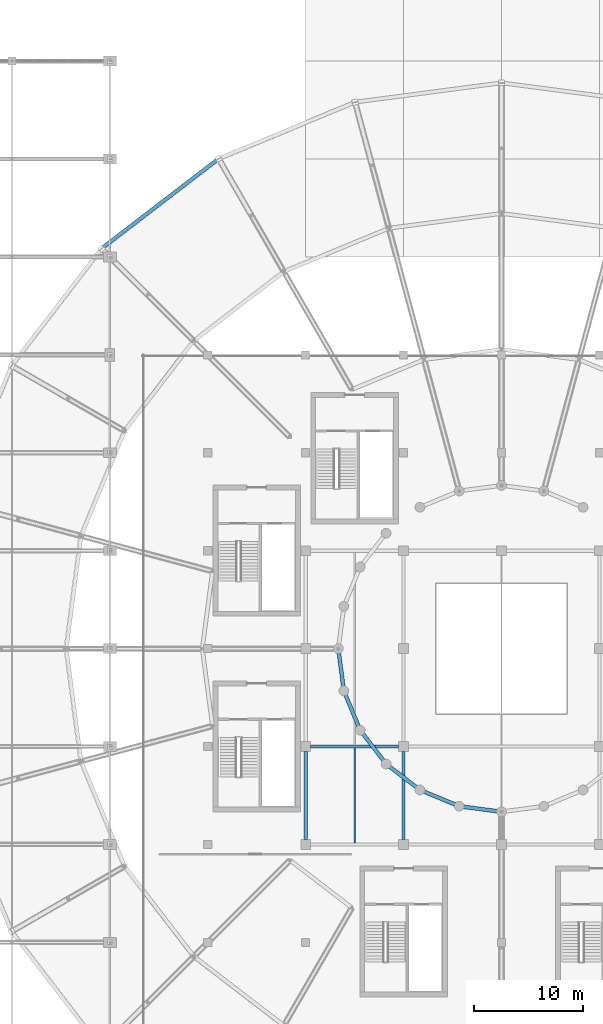
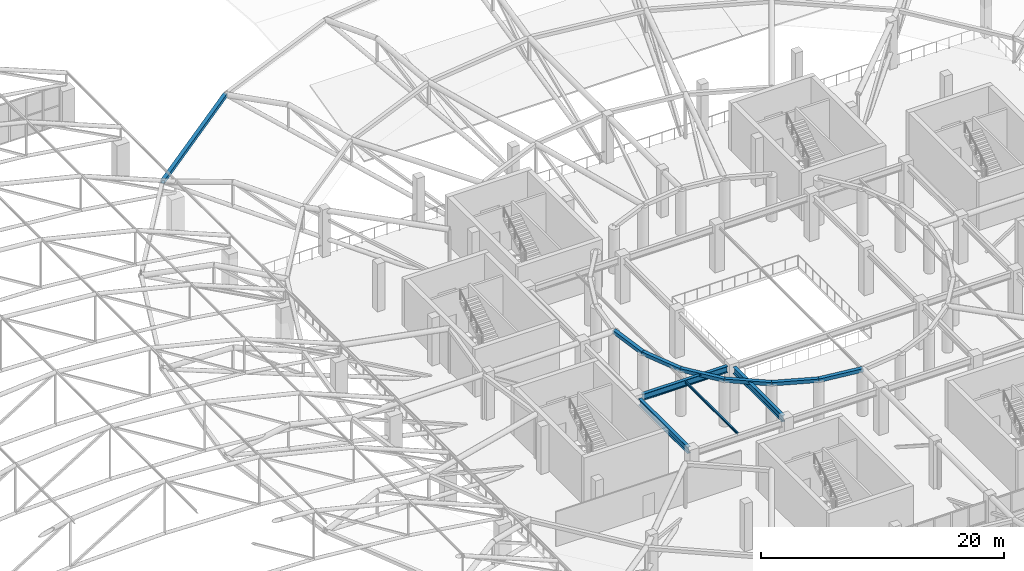
# One storey, part 64 of 167: 7 members, 4 beams.
"""IFC4 building model written with IfcOpenShell, lengths in metres."""

from ifc_helpers import new_model, si_unit, direction, frame, origin, origin_2d, place, context, subcontext, project, spatial, hollow_rectangle, i_section, extrude, material, material_profile, profile_set, type_object, element, save


model = new_model("IFC4")

# Units and contexts
model_context = context("Model", 3, precision=1e-05, world=origin(), true_north=direction((0.0, 1.0)))
body_context = subcontext(model_context, "Body", "Model", "MODEL_VIEW")
ifc_project = project(units=[si_unit("LENGTHUNIT", "METRE"), si_unit("AREAUNIT", "SQUARE_METRE"), si_unit("VOLUMEUNIT", "CUBIC_METRE"), si_unit("PLANEANGLEUNIT", "RADIAN"), si_unit("MASSUNIT", "GRAM", prefix="KILO")], contexts=[model_context])

# Site, building, storey
site_placement = place(None, origin())
site = spatial("IfcSite", under=ifc_project, at=site_placement, CompositionType="ELEMENT")
building_placement = place(site_placement, origin())
building = spatial("IfcBuilding", under=site, at=building_placement, Name="Dornveld Trade and Exhibition Forum", CompositionType="ELEMENT")
storey_placement = place(building_placement, frame((0.0, 0.0, 16.800048828125)))
storey = spatial("IfcBuildingStorey", under=building, at=storey_placement, Name="L03", CompositionType="ELEMENT", Elevation=16.800048828125)

# Beams
ifc_material_1 = material(Name="Steel S355J2", Category="steel")
ifc_material_profile_1 = material_profile(ifc_material_1, i_section(OverallWidth=0.300048828125, OverallDepth=0.64990234375, WebThickness=0.01611328125, FlangeThickness=0.031005859375, FilletRadius=0.027099609375, at=origin_2d()), Name="HEB 650")
ifc_profile_set_1 = profile_set([ifc_material_profile_1], Name="Steel S355J2")
beam_type_1 = type_object("IfcBeamType", Name="BM-GIR-HEB650", PredefinedType="USERDEFINED", material=ifc_profile_set_1)
for number, where, z_axis, x_axis, name in (
    (1, (99.446044921875, 72.0, 4.18505859375), (1.0, 0.0, 0.0), (0.0, 1.0, 0.0), "L03 X-girder 1654"),
    (2, (99.0, 63.446044921875, 4.15283203125), (0.0, 1.0, 0.0), (-1.0, 0.0, 0.0), "L03 Y-girder 1660"),
    (3, (108.0, 63.446044921875, 4.18505859375), (0.0, 1.0, 0.0), (-1.0, 0.0, 0.0), "L03 Y-girder 1662"),
):
    element("IfcBeam", number, at=place(storey_placement, frame(where, z_axis=z_axis, x_axis=x_axis)), inside=storey, type_object=beam_type_1, Name=name, ObjectType="GIRDER", PredefinedType="USERDEFINED", context=body_context, shape_type="SweptSolid", body=[
        extrude(i_section(OverallWidth=0.300048828125, OverallDepth=0.64990234375, WebThickness=0.01611328125, FlangeThickness=0.031005859375, FilletRadius=0.027099609375, at=origin_2d()), origin(), (0.0, 0.0, 1.0), 8.10791015625),
    ])
ifc_material_2 = material(Name="Steel S355J2", Category="steel")
ifc_material_profile_2 = material_profile(ifc_material_2, i_section(OverallWidth=0.1201171875, OverallDepth=0.239990234375, WebThickness=0.006103515625, FlangeThickness=0.009765625, FilletRadius=0.014892578125, at=origin_2d()), Name="IPE 240")
ifc_profile_set_2 = profile_set([ifc_material_profile_2], Name="Steel S355J2")
beam_type_2 = type_object("IfcBeamType", Name="BM-JOIST-240", PredefinedType="JOIST", material=ifc_profile_set_2)
beam_placement = place(storey_placement, frame((103.5, 63.14697265625, 4.389892578125), z_axis=(0.0, 1.0, 0.0), x_axis=(-1.0, 0.0, 0.0)))
element("IfcBeam", 4, at=beam_placement, inside=storey, type_object=beam_type_2, Name="L03 secondary joist 1668", PredefinedType="JOIST", context=body_context, shape_type="SweptSolid", body=[
    extrude(i_section(OverallWidth=0.1201171875, OverallDepth=0.239990234375, WebThickness=0.006103515625, FlangeThickness=0.009765625, FilletRadius=0.014892578125, at=origin_2d()), origin(), (0.0, 0.0, 1.0), 8.7060546875),
])

# Members
ifc_material_3 = material(Name="Steel S355J2", Category="steel")
ifc_material_profile_3 = material_profile(ifc_material_3, hollow_rectangle(XDim=0.35009765625, YDim=0.35009765625, WallThickness=0.01611328125, at=origin_2d()), Name="SHS 350x350x16")
ifc_profile_set_3 = profile_set([ifc_material_profile_3], Name="Steel S355J2")
member_type = type_object("IfcMemberType", Name="MEM-DISC-RING", PredefinedType="CHORD", material=ifc_profile_set_3)
member_placement = place(storey_placement, frame((91.0, 126.033203125, 4.800048828125), z_axis=(-0.79335619014, -0.608757714995, 0.0), x_axis=(0.608757714995, -0.79335619014, 0.0)))
element("IfcMember", 5, at=member_placement, inside=storey, type_object=member_type, Name="Roof disc ring 4 chord 9", PredefinedType="CHORD", context=body_context, shape_type="SweptSolid", body=[
    extrude(hollow_rectangle(XDim=0.35009765625, YDim=0.35009765625, WallThickness=0.01611328125, at=origin_2d()), origin(), (0.0, 0.0, 1.0), 13.57470703125),
])
for number, where, z_axis, x_axis, name in (
    (6, (102.0, 81.0, 4.449951171875), (0.130493219672, -0.991449201734, 0.0), (0.991449201734, 0.130493219672, 0.0), "Roof disc ring 1 chord 13"),
    (7, (102.510986328125, 77.11767578125, 4.449951171875), (0.382693194178, -0.923875488976, 0.0), (0.923875488976, 0.382693194178, 0.0), "Roof disc ring 1 chord 14"),
    (8, (104.009521484375, 73.5, 4.449951171875), (0.608752171023, -0.793360444108, 0.0), (0.793360444108, 0.608752171023, 0.0), "Roof disc ring 1 chord 15"),
    (9, (106.393310546875, 70.393310546875, 4.449951171875), (0.793360444108, -0.608752171023, 0.0), (0.608752171023, 0.793360444108, 0.0), "Roof disc ring 1 chord 16"),
    (10, (109.5, 68.009521484375, 4.449951171875), (0.923875488976, -0.382693194178, 0.0), (0.382693194178, 0.923875488976, 0.0), "Roof disc ring 1 chord 17"),
    (11, (113.11767578125, 66.510986328125, 4.449951171875), (0.991449201734, -0.130493219672, 0.0), (0.130493219672, 0.991449201734, 0.0), "Roof disc ring 1 chord 18"),
):
    element("IfcMember", number, at=place(storey_placement, frame(where, z_axis=z_axis, x_axis=x_axis)), inside=storey, type_object=member_type, Name=name, PredefinedType="CHORD", context=body_context, shape_type="SweptSolid", body=[
        extrude(hollow_rectangle(XDim=0.35009765625, YDim=0.35009765625, WallThickness=0.01611328125, at=origin_2d()), origin(), (0.0, 0.0, 1.0), 3.915771484375),
    ])

save(model, "model.ifc")
